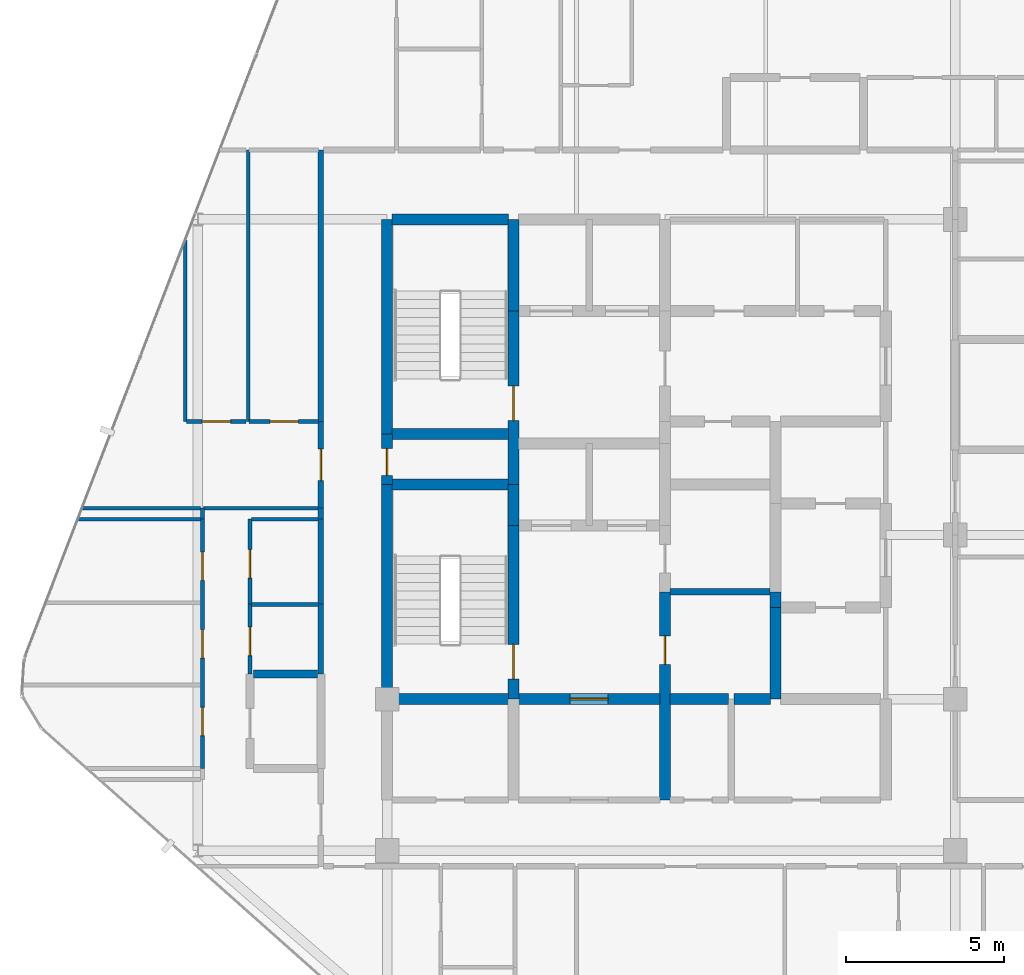
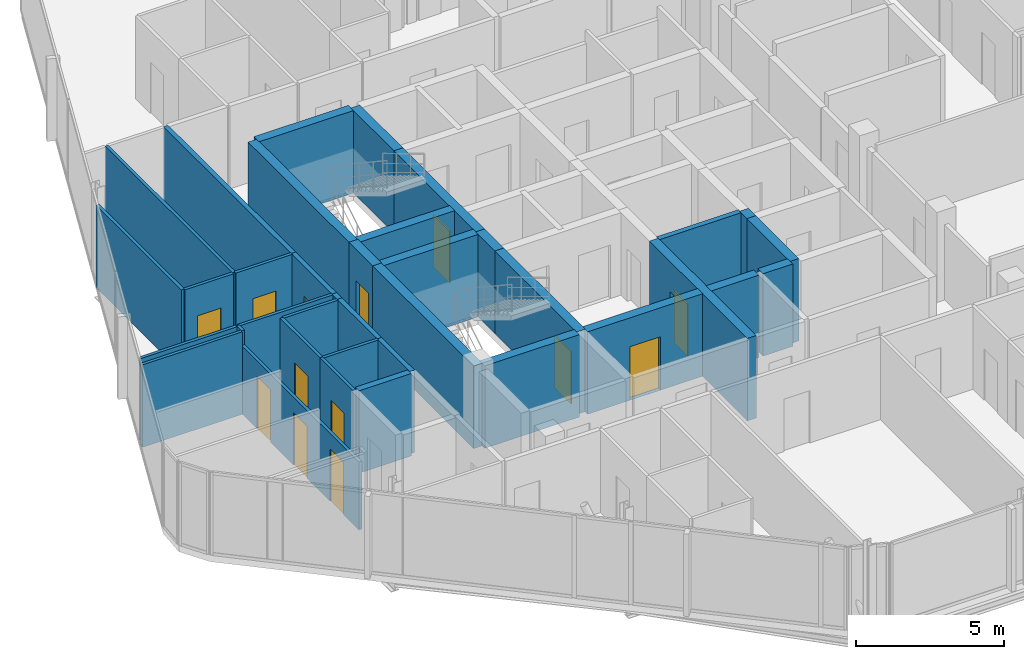
# One storey, part 26 of 30: 37 walls, 13 doors, 13 openings.
"""IFC4 building model written with IfcOpenShell, lengths in metres."""

from ifc_helpers import new_model, si_unit, direction, frame, frame_2d, origin, place, context, subcontext, project, spatial, rectangle, extrude, material, layer, layer_set, type_object, element, fill, save


model = new_model("IFC4")

# Units and contexts
model_context = context("Model", 3, precision=1e-05, world=origin(), true_north=direction((0.0, 1.0)))
body_context = subcontext(model_context, "Body", "Model", "MODEL_VIEW")
ifc_project = project(units=[si_unit("LENGTHUNIT", "METRE"), si_unit("AREAUNIT", "SQUARE_METRE"), si_unit("VOLUMEUNIT", "CUBIC_METRE"), si_unit("PLANEANGLEUNIT", "RADIAN"), si_unit("MASSUNIT", "GRAM", prefix="KILO")], contexts=[model_context])

# Site, building, storey
site_placement = place(None, origin())
site = spatial("IfcSite", under=ifc_project, at=site_placement, CompositionType="ELEMENT")
building_placement = place(site_placement, origin())
building = spatial("IfcBuilding", under=site, at=building_placement, Name="Keshet Zoharim Tower", CompositionType="ELEMENT")
storey_placement = place(building_placement, frame((0.0, 0.0, 280.60009765625)))
storey = spatial("IfcBuildingStorey", under=building, at=storey_placement, Name="L70", CompositionType="ELEMENT", Elevation=280.60009765625)

# Wall
ifc_material_1 = material(Name="Concrete C60/75", Category="concrete")
ifc_layer_1 = layer(ifc_material_1, 0.35009765625)
ifc_layer_set_1 = layer_set([ifc_layer_1], Name="Concrete C60/75")
wall_type_1 = type_object("IfcWallType", Name="WL-CORE-350", PredefinedType="SHEAR", material=ifc_layer_set_1)
wall_1_placement = place(storey_placement, frame((15.0, 22.699951171875, 0.0), z_axis=(0.0, 0.0, 1.0), x_axis=(0.0, 1.0, 0.0)))
element("IfcWall", 1, at=wall_1_placement, inside=storey, type_object=wall_type_1, Name="L70 Core Shear Wall 017", PredefinedType="SHEAR", context=body_context, shape_type="SweptSolid", body=[
    extrude(rectangle(XDim=6.800048828125, YDim=0.35009765625, at=frame_2d((3.39990234375, 0.0))), origin(), (0.0, 0.0, 1.0), 3.389892578125),
])

# Wall, opening, door
wall_2_placement = place(storey_placement, frame((15.0, 29.5, 0.0), z_axis=(0.0, 0.0, 1.0), x_axis=(0.0, 1.0, 0.0)))
wall_2 = element("IfcWall", 2, at=wall_2_placement, inside=storey, type_object=wall_type_1, Name="L70 Core Shear Wall 018", PredefinedType="SHEAR", context=body_context, shape_type="SweptSolid", body=[
    extrude(rectangle(XDim=1.60009765625, YDim=0.35009765625, at=frame_2d((0.800048828125, 0.0))), origin(), (0.0, 0.0, 1.0), 3.389892578125),
])
opening_1_placement = place(wall_2_placement, frame((0.287109375, 0.0, 0.0)))
opening_1 = element("IfcOpeningElement", 3, at=opening_1_placement, cuts=wall_2, Name="Opening D-RS85", PredefinedType="OPENING", context=body_context, shape_type="SweptSolid", body=[
    extrude(rectangle(XDim=0.85009765625, YDim=2.10009765625, at=frame_2d((0.425048828125, 1.050048828125))), frame((0.0, 0.18505859375, 0.0), z_axis=(0.0, -1.0, 0.0), x_axis=(1.0, 0.0, 0.0)), (0.0, 0.0, 1.0), 0.3701171875),
])
ifc_material_2 = material(Name="Hardwood Timber", Category="wood")
door_type_1 = type_object("IfcDoorType", Name="DR-RIS-085", OperationType="NOTDEFINED", PredefinedType="DOOR", material=ifc_material_2)
door_1_placement = place(opening_1_placement, origin())
door_1 = element("IfcDoor", 4, at=door_1_placement, inside=storey, type_object=door_type_1, Name="L70 Electrical Riser Access Cupboard Door", OperationType="SINGLE_SWING_RIGHT", OverallHeight=2.10009765625, OverallWidth=0.85009765625, PredefinedType="DOOR", context=body_context, shape_type="SweptSolid", body=[
    extrude(rectangle(XDim=0.85009765625, YDim=2.10009765625, at=frame_2d((0.425048828125, 1.050048828125))), frame((0.0, 0.02490234375, 0.0), z_axis=(0.0, -1.0, 0.0), x_axis=(1.0, 0.0, 0.0)), (0.0, 0.0, 1.0), 0.050048828125),
])
fill(opening_1, door_1)

# Wall
wall_3_placement = place(storey_placement, frame((15.0, 31.10009765625, 0.0), z_axis=(0.0, 0.0, 1.0), x_axis=(0.0, 1.0, 0.0)))
element("IfcWall", 5, at=wall_3_placement, inside=storey, type_object=wall_type_1, Name="L70 Core Shear Wall 019", PredefinedType="SHEAR", context=body_context, shape_type="SweptSolid", body=[
    extrude(rectangle(XDim=6.7998046875, YDim=0.35009765625, at=frame_2d((3.39990234375, 0.0))), origin(), (0.0, 0.0, 1.0), 3.389892578125),
])

# Wall, opening, door
wall_4_placement = place(storey_placement, frame((19.0, 22.699951171875, 0.0), z_axis=(0.0, 0.0, 1.0), x_axis=(0.0, 1.0, 0.0)))
wall_4 = element("IfcWall", 6, at=wall_4_placement, inside=storey, type_object=wall_type_1, Name="L70 Core Shear Wall 027", PredefinedType="SHEAR", context=body_context, shape_type="SweptSolid", body=[
    extrude(rectangle(XDim=5.5, YDim=0.35009765625, at=frame_2d((2.75, 0.0))), origin(), (0.0, 0.0, 1.0), 3.389892578125),
])
opening_2_placement = place(wall_4_placement, frame((0.631103515625, 0.0, 0.0)))
opening_2 = element("IfcOpeningElement", 7, at=opening_2_placement, cuts=wall_4, Name="Opening D-F611", PredefinedType="OPENING", context=body_context, shape_type="SweptSolid", body=[
    extrude(rectangle(XDim=1.10009765625, YDim=2.14990234375, at=frame_2d((0.550048828125, 1.074951171875))), frame((0.0, 0.18505859375, 0.0), z_axis=(0.0, -1.0, 0.0), x_axis=(1.0, 0.0, 0.0)), (0.0, 0.0, 1.0), 0.3701171875),
])
door_type_2 = type_object("IfcDoorType", Name="DR-FD60-110", OperationType="NOTDEFINED", PredefinedType="DOOR", material=ifc_material_2)
door_2_placement = place(opening_2_placement, origin())
door_2 = element("IfcDoor", 8, at=door_2_placement, inside=storey, type_object=door_type_2, Name="L70 Exit Stair ST-01 Fire Door", OperationType="SINGLE_SWING_RIGHT", OverallHeight=2.14990234375, OverallWidth=1.10009765625, PredefinedType="DOOR", context=body_context, shape_type="SweptSolid", body=[
    extrude(rectangle(XDim=1.10009765625, YDim=2.14990234375, at=frame_2d((0.550048828125, 1.074951171875))), frame((0.0, 0.02490234375, 0.0), z_axis=(0.0, -1.0, 0.0), x_axis=(1.0, 0.0, 0.0)), (0.0, 0.0, 1.0), 0.050048828125),
])
fill(opening_2, door_2)

# Wall
wall_5_placement = place(storey_placement, frame((19.0, 28.199951171875, 0.0), z_axis=(0.0, 0.0, 1.0), x_axis=(0.0, 1.0, 0.0)))
element("IfcWall", 9, at=wall_5_placement, inside=storey, type_object=wall_type_1, Name="L70 Core Shear Wall 028", PredefinedType="SHEAR", context=body_context, shape_type="SweptSolid", body=[
    extrude(rectangle(XDim=1.300048828125, YDim=0.35009765625, at=frame_2d((0.64990234375, 0.0))), origin(), (0.0, 0.0, 1.0), 3.389892578125),
])

# Wall, opening, door
wall_6_placement = place(storey_placement, frame((19.0, 29.5, 0.0), z_axis=(0.0, 0.0, 1.0), x_axis=(0.0, 1.0, 0.0)))
wall_6 = element("IfcWall", 10, at=wall_6_placement, inside=storey, type_object=wall_type_1, Name="L70 Core Shear Wall 029", PredefinedType="SHEAR", context=body_context, shape_type="SweptSolid", body=[
    extrude(rectangle(XDim=5.5, YDim=0.35009765625, at=frame_2d((2.75, 0.0))), origin(), (0.0, 0.0, 1.0), 3.389892578125),
])
opening_3_placement = place(wall_6_placement, frame((2.02490234375, 0.0, 0.0)))
opening_3 = element("IfcOpeningElement", 11, at=opening_3_placement, cuts=wall_6, Name="Opening D-F611", PredefinedType="OPENING", context=body_context, shape_type="SweptSolid", body=[
    extrude(rectangle(XDim=1.10009765625, YDim=2.14990234375, at=frame_2d((0.550048828125, 1.074951171875))), frame((0.0, 0.18505859375, 0.0), z_axis=(0.0, -1.0, 0.0), x_axis=(1.0, 0.0, 0.0)), (0.0, 0.0, 1.0), 0.3701171875),
])
door_3_placement = place(opening_3_placement, origin())
door_3 = element("IfcDoor", 12, at=door_3_placement, inside=storey, type_object=door_type_2, Name="L70 Exit Stair ST-02 Fire Door", OperationType="SINGLE_SWING_LEFT", OverallHeight=2.14990234375, OverallWidth=1.10009765625, PredefinedType="DOOR", context=body_context, shape_type="SweptSolid", body=[
    extrude(rectangle(XDim=1.10009765625, YDim=2.14990234375, at=frame_2d((0.550048828125, 1.074951171875))), frame((0.0, 0.02490234375, 0.0), z_axis=(0.0, -1.0, 0.0), x_axis=(1.0, 0.0, 0.0)), (0.0, 0.0, 1.0), 0.050048828125),
])
fill(opening_3, door_3)

# Wall
wall_7_placement = place(storey_placement, frame((19.0, 35.0, 0.0), z_axis=(0.0, 0.0, 1.0), x_axis=(0.0, 1.0, 0.0)))
element("IfcWall", 13, at=wall_7_placement, inside=storey, type_object=wall_type_1, Name="L70 Core Shear Wall 030", PredefinedType="SHEAR", context=body_context, shape_type="SweptSolid", body=[
    extrude(rectangle(XDim=2.89990234375, YDim=0.35009765625, at=frame_2d((1.449951171875, 0.0))), origin(), (0.0, 0.0, 1.0), 3.389892578125),
])

# Wall, opening, door
wall_8_placement = place(storey_placement, frame((23.800048828125, 19.5, 0.0), z_axis=(0.0, 0.0, 1.0), x_axis=(0.0, 1.0, 0.0)))
wall_8 = element("IfcWall", 14, at=wall_8_placement, inside=storey, type_object=wall_type_1, Name="L70 Core Shear Wall 040", PredefinedType="SHEAR", context=body_context, shape_type="SweptSolid", body=[
    extrude(rectangle(XDim=6.60009765625, YDim=0.35009765625, at=frame_2d((3.300048828125, 0.0))), origin(), (0.0, 0.0, 1.0), 3.389892578125),
])
opening_4_placement = place(wall_8_placement, frame((4.303955078125, 0.0, 0.0)))
opening_4 = element("IfcOpeningElement", 15, at=opening_4_placement, cuts=wall_8, Name="Opening D-F690", PredefinedType="OPENING", context=body_context, shape_type="SweptSolid", body=[
    extrude(rectangle(XDim=0.89990234375, YDim=2.14990234375, at=frame_2d((0.449951171875, 1.074951171875))), frame((0.0, 0.18505859375, 0.0), z_axis=(0.0, -1.0, 0.0), x_axis=(1.0, 0.0, 0.0)), (0.0, 0.0, 1.0), 0.3701171875),
])
door_type_3 = type_object("IfcDoorType", Name="DR-FD60-090", OperationType="NOTDEFINED", PredefinedType="DOOR", material=ifc_material_2)
door_4_placement = place(opening_4_placement, origin())
door_4 = element("IfcDoor", 16, at=door_4_placement, inside=storey, type_object=door_type_3, Name="L70 Core Linen Store Door", OperationType="SINGLE_SWING_LEFT", OverallHeight=2.14990234375, OverallWidth=0.89990234375, PredefinedType="DOOR", context=body_context, shape_type="SweptSolid", body=[
    extrude(rectangle(XDim=0.89990234375, YDim=2.14990234375, at=frame_2d((0.449951171875, 1.074951171875))), frame((0.0, 0.02490234375, 0.0), z_axis=(0.0, -1.0, 0.0), x_axis=(1.0, 0.0, 0.0)), (0.0, 0.0, 1.0), 0.050048828125),
])
fill(opening_4, door_4)

# Walls
wall_9_placement = place(storey_placement, frame((27.300048828125, 22.699951171875, 0.0), z_axis=(0.0, 0.0, 1.0), x_axis=(0.0, 1.0, 0.0)))
element("IfcWall", 17, at=wall_9_placement, inside=storey, type_object=wall_type_1, Name="L70 Core Shear Wall 051", PredefinedType="SHEAR", context=body_context, shape_type="SweptSolid", body=[
    extrude(rectangle(XDim=2.900146484375, YDim=0.35009765625, at=frame_2d((1.4501953125, 0.0))), origin(), (0.0, 0.0, 1.0), 3.389892578125),
])
wall_10_placement = place(storey_placement, frame((27.300048828125, 25.60009765625, 0.0), z_axis=(0.0, 0.0, 1.0), x_axis=(0.0, 1.0, 0.0)))
element("IfcWall", 18, at=wall_10_placement, inside=storey, type_object=wall_type_1, Name="L70 Core Shear Wall 052", PredefinedType="SHEAR", context=body_context, shape_type="SweptSolid", body=[
    extrude(rectangle(XDim=0.5, YDim=0.35009765625, at=frame_2d((0.25, 0.0))), origin(), (0.0, 0.0, 1.0), 3.389892578125),
])
wall_11_placement = place(storey_placement, frame((15.159912109375, 22.699951171875, 0.0), z_axis=(0.0, 0.0, 1.0), x_axis=(1.0, 0.0, 0.0)))
element("IfcWall", 19, at=wall_11_placement, inside=storey, type_object=wall_type_1, Name="L70 Core Shear Wall 117", PredefinedType="SHEAR", context=body_context, shape_type="SweptSolid", body=[
    extrude(rectangle(XDim=3.68017578125, YDim=0.35009765625, at=frame_2d((1.840087890625, 0.0))), origin(), (0.0, 0.0, 1.0), 3.389892578125),
])

# Wall, opening, door
wall_12_placement = place(storey_placement, frame((19.159912109375, 22.699951171875, 0.0), z_axis=(0.0, 0.0, 1.0), x_axis=(1.0, 0.0, 0.0)))
wall_12 = element("IfcWall", 20, at=wall_12_placement, inside=storey, type_object=wall_type_1, Name="L70 Core Shear Wall 118", PredefinedType="SHEAR", context=body_context, shape_type="SweptSolid", body=[
    extrude(rectangle(XDim=4.47998046875, YDim=0.35009765625, at=frame_2d((2.239990234375, 0.0))), origin(), (0.0, 0.0, 1.0), 3.389892578125),
])
opening_5_placement = place(wall_12_placement, frame((1.639892578125, 0.0, 0.0)))
opening_5 = element("IfcOpeningElement", 21, at=opening_5_placement, cuts=wall_12, Name="Opening D-F612", PredefinedType="OPENING", context=body_context, shape_type="SweptSolid", body=[
    extrude(rectangle(XDim=1.199951171875, YDim=2.199951171875, at=frame_2d((0.60009765625, 1.10009765625))), frame((0.0, 0.18505859375, 0.0), z_axis=(0.0, -1.0, 0.0), x_axis=(1.0, 0.0, 0.0)), (0.0, 0.0, 1.0), 0.3701171875),
])
door_type_4 = type_object("IfcDoorType", Name="DR-FD60-120", OperationType="NOTDEFINED", PredefinedType="DOOR", material=ifc_material_2)
door_5_placement = place(opening_5_placement, origin())
door_5 = element("IfcDoor", 22, at=door_5_placement, inside=storey, type_object=door_type_4, Name="L70 South Core Lobby Fire Door", OperationType="SINGLE_SWING_RIGHT", OverallHeight=2.199951171875, OverallWidth=1.199951171875, PredefinedType="DOOR", context=body_context, shape_type="SweptSolid", body=[
    extrude(rectangle(XDim=1.199951171875, YDim=2.199951171875, at=frame_2d((0.60009765625, 1.10009765625))), frame((0.0, 0.02490234375, 0.0), z_axis=(0.0, -1.0, 0.0), x_axis=(1.0, 0.0, 0.0)), (0.0, 0.0, 1.0), 0.050048828125),
])
fill(opening_5, door_5)

# Walls
wall_13_placement = place(storey_placement, frame((23.9599609375, 22.699951171875, 0.0), z_axis=(0.0, 0.0, 1.0), x_axis=(1.0, 0.0, 0.0)))
element("IfcWall", 23, at=wall_13_placement, inside=storey, type_object=wall_type_1, Name="L70 Core Shear Wall 119", PredefinedType="SHEAR", context=body_context, shape_type="SweptSolid", body=[
    extrude(rectangle(XDim=1.85498046875, YDim=0.35009765625, at=frame_2d((0.927490234375, 0.0))), origin(), (0.0, 0.0, 1.0), 3.389892578125),
])
wall_14_placement = place(storey_placement, frame((25.985107421875, 22.699951171875, 0.0), z_axis=(0.0, 0.0, 1.0), x_axis=(1.0, 0.0, 0.0)))
element("IfcWall", 24, at=wall_14_placement, inside=storey, type_object=wall_type_1, Name="L70 Core Shear Wall 120", PredefinedType="SHEAR", context=body_context, shape_type="SweptSolid", body=[
    extrude(rectangle(XDim=1.15478515625, YDim=0.35009765625, at=frame_2d((0.577392578125, 0.0))), origin(), (0.0, 0.0, 1.0), 3.389892578125),
])
for number, where, z_axis, x_axis, name in (
    (25, (15.159912109375, 29.5, 0.0), (0.0, 0.0, 1.0), (1.0, 0.0, 0.0), "L70 Core Shear Wall 135"),
    (26, (15.159912109375, 31.10009765625, 0.0), (0.0, 0.0, 1.0), (1.0, 0.0, 0.0), "L70 Core Shear Wall 141"),
    (27, (15.159912109375, 37.89990234375, 0.0), (0.0, 0.0, 1.0), (1.0, 0.0, 0.0), "L70 Core Shear Wall 152"),
):
    element("IfcWall", number, at=place(storey_placement, frame(where, z_axis=z_axis, x_axis=x_axis)), inside=storey, type_object=wall_type_1, Name=name, PredefinedType="SHEAR", context=body_context, shape_type="SweptSolid", body=[
        extrude(rectangle(XDim=3.68017578125, YDim=0.35009765625, at=frame_2d((1.840087890625, 0.0))), origin(), (0.0, 0.0, 1.0), 3.389892578125),
    ])
ifc_material_3 = material(Name="Gypsum Plasterboard", Category="gypsum")
ifc_layer_2 = layer(ifc_material_3, 0.179931640625)
ifc_layer_set_2 = layer_set([ifc_layer_2], Name="Gypsum Plasterboard")
wall_type_2 = type_object("IfcWallType", Name="WL-CORR-180", PredefinedType="STANDARD", material=ifc_layer_set_2)
wall_15_placement = place(storey_placement, frame((12.89990234375, 23.501953125, 0.0), z_axis=(0.0, 0.0, 1.0), x_axis=(0.0, 1.0, 0.0)))
element("IfcWall", 28, at=wall_15_placement, inside=storey, type_object=wall_type_2, Name="L70 Interior Wall 011", PredefinedType="STANDARD", context=body_context, shape_type="SweptSolid", body=[
    extrude(rectangle(XDim=2.212158203125, YDim=0.179931640625, at=frame_2d((1.10595703125, 0.0))), origin(), (0.0, 0.0, 1.0), 3.389892578125),
])
wall_16_placement = place(storey_placement, frame((12.89990234375, 25.714111328125, 0.0), z_axis=(0.0, 0.0, 1.0), x_axis=(0.0, 1.0, 0.0)))
element("IfcWall", 29, at=wall_16_placement, inside=storey, type_object=wall_type_2, Name="L70 Interior Wall 012", PredefinedType="STANDARD", context=body_context, shape_type="SweptSolid", body=[
    extrude(rectangle(XDim=2.685791015625, YDim=0.179931640625, at=frame_2d((1.3427734375, 0.0))), origin(), (0.0, 0.0, 1.0), 3.389892578125),
])
wall_17_placement = place(storey_placement, frame((12.89990234375, 28.39990234375, 0.0), z_axis=(0.0, 0.0, 1.0), x_axis=(0.0, 1.0, 0.0)))
element("IfcWall", 30, at=wall_17_placement, inside=storey, type_object=wall_type_2, Name="L70 Interior Wall 013", PredefinedType="STANDARD", context=body_context, shape_type="SweptSolid", body=[
    extrude(rectangle(XDim=0.35009765625, YDim=0.179931640625, at=frame_2d((0.175048828125, 0.0))), origin(), (0.0, 0.0, 1.0), 3.389892578125),
])

# Wall, opening, door
wall_18_placement = place(storey_placement, frame((12.89990234375, 28.75, 0.0), z_axis=(0.0, 0.0, 1.0), x_axis=(0.0, 1.0, 0.0)))
wall_18 = element("IfcWall", 31, at=wall_18_placement, inside=storey, type_object=wall_type_2, Name="L70 Interior Wall 014", PredefinedType="STANDARD", context=body_context, shape_type="SweptSolid", body=[
    extrude(rectangle(XDim=2.75, YDim=0.179931640625, at=frame_2d((1.375, 0.0))), origin(), (0.0, 0.0, 1.0), 3.389892578125),
])
opening_6_placement = place(wall_18_placement, frame((0.875, 0.0, 0.0)))
opening_6 = element("IfcOpeningElement", 32, at=opening_6_placement, cuts=wall_18, Name="Opening D-F310", PredefinedType="OPENING", context=body_context, shape_type="SweptSolid", body=[
    extrude(rectangle(XDim=1.0, YDim=2.14990234375, at=frame_2d((0.5, 1.074951171875))), frame((0.0, 0.10009765625, 0.0), z_axis=(0.0, -1.0, 0.0), x_axis=(1.0, 0.0, 0.0)), (0.0, 0.0, 1.0), 0.199951171875),
])
door_type_5 = type_object("IfcDoorType", Name="DR-FD30-100", OperationType="NOTDEFINED", PredefinedType="DOOR", material=ifc_material_2)
door_6_placement = place(opening_6_placement, origin())
door_6 = element("IfcDoor", 33, at=door_6_placement, inside=storey, type_object=door_type_5, Name="Apartment 7007 Entrance Door", OperationType="SINGLE_SWING_LEFT", OverallHeight=2.14990234375, OverallWidth=1.0, PredefinedType="DOOR", context=body_context, shape_type="SweptSolid", body=[
    extrude(rectangle(XDim=1.0, YDim=2.14990234375, at=frame_2d((0.5, 1.074951171875))), frame((0.0, 0.02490234375, 0.0), z_axis=(0.0, -1.0, 0.0), x_axis=(1.0, 0.0, 0.0)), (0.0, 0.0, 1.0), 0.050048828125),
])
fill(opening_6, door_6)

# Walls
wall_19_placement = place(storey_placement, frame((12.89990234375, 31.5, 0.0), z_axis=(0.0, 0.0, 1.0), x_axis=(0.0, 1.0, 0.0)))
element("IfcWall", 34, at=wall_19_placement, inside=storey, type_object=wall_type_2, Name="L70 Interior Wall 015", PredefinedType="STANDARD", context=body_context, shape_type="SweptSolid", body=[
    extrude(rectangle(XDim=8.60009765625, YDim=0.179931640625, at=frame_2d((4.300048828125, 0.0))), origin(), (0.0, 0.0, 1.0), 3.389892578125),
])
ifc_material_4 = material(Name="Concrete C50/60", Category="concrete")
ifc_layer_3 = layer(ifc_material_4, 0.199951171875)
ifc_layer_set_3 = layer_set([ifc_layer_3], Name="Concrete C50/60")
wall_type_3 = type_object("IfcWallType", Name="WL-FIRE-200", PredefinedType="STANDARD", material=ifc_layer_set_3)
wall_20_placement = place(storey_placement, frame((23.9599609375, 26.10009765625, 0.0), z_axis=(0.0, 0.0, 1.0), x_axis=(1.0, 0.0, 0.0)))
element("IfcWall", 35, at=wall_20_placement, inside=storey, type_object=wall_type_3, Name="L70 Interior Wall 127", PredefinedType="STANDARD", context=body_context, shape_type="SweptSolid", body=[
    extrude(rectangle(XDim=3.179931640625, YDim=0.199951171875, at=frame_2d((1.58984375, 0.0))), origin(), (0.0, 0.0, 1.0), 3.389892578125),
])
ifc_layer_4 = layer(ifc_material_4, 0.25)
ifc_layer_set_4 = layer_set([ifc_layer_4], Name="Concrete C50/60")
wall_type_4 = type_object("IfcWallType", Name="WL-MAMAD-250", PredefinedType="STANDARD", material=ifc_layer_set_4)
wall_21_placement = place(storey_placement, frame((10.760009765625, 23.5, 0.0), z_axis=(0.0, 0.0, 1.0), x_axis=(1.0, 0.0, 0.0)))
element("IfcWall", 36, at=wall_21_placement, inside=storey, type_object=wall_type_4, Name="L70 Interior Wall 123", PredefinedType="STANDARD", context=body_context, shape_type="SweptSolid", body=[
    extrude(rectangle(XDim=2.030029296875, YDim=0.25, at=frame_2d((1.01513671875, 0.0))), origin(), (0.0, 0.0, 1.0), 3.389892578125),
])
ifc_layer_5 = layer(ifc_material_3, 0.1201171875)
ifc_layer_set_5 = layer_set([ifc_layer_5], Name="Gypsum Plasterboard")
wall_type_5 = type_object("IfcWallType", Name="WL-PART-120", PredefinedType="PARTITIONING", material=ifc_layer_set_5)
wall_22_placement = place(storey_placement, frame((8.60009765625, 31.5, 0.0), z_axis=(0.0, 0.0, 1.0), x_axis=(0.0, 1.0, 0.0)))
element("IfcWall", 37, at=wall_22_placement, inside=storey, type_object=wall_type_5, Name="L70 Interior Wall 001", PredefinedType="PARTITIONING", context=body_context, shape_type="SweptSolid", body=[
    extrude(rectangle(XDim=5.75, YDim=0.1201171875, at=frame_2d((2.875, 0.0))), origin(), (0.0, 0.0, 1.0), 3.389892578125),
])

# Wall, openings, doors
wall_23_placement = place(storey_placement, frame((9.14990234375, 20.5, 0.0), z_axis=(0.0, 0.0, 1.0), x_axis=(0.0, 1.0, 0.0)))
wall_23 = element("IfcWall", 38, at=wall_23_placement, inside=storey, type_object=wall_type_5, Name="L70 Interior Wall 003", PredefinedType="PARTITIONING", context=body_context, shape_type="SweptSolid", body=[
    extrude(rectangle(XDim=7.89990234375, YDim=0.1201171875, at=frame_2d((3.949951171875, 0.0))), origin(), (0.0, 0.0, 1.0), 2.789794921875),
])
opening_7_placement = place(wall_23_placement, frame((1.041015625, 0.0, 0.0)))
opening_7 = element("IfcOpeningElement", 39, at=opening_7_placement, cuts=wall_23, Name="Opening D-IN90", PredefinedType="OPENING", context=body_context, shape_type="SweptSolid", body=[
    extrude(rectangle(XDim=0.89990234375, YDim=2.14990234375, at=frame_2d((0.449951171875, 1.074951171875))), frame((0.0, 0.070068359375, 0.0), z_axis=(0.0, -1.0, 0.0), x_axis=(1.0, 0.0, 0.0)), (0.0, 0.0, 1.0), 0.14013671875),
])
opening_8_placement = place(wall_23_placement, frame((3.5, 0.0, 0.0)))
opening_8 = element("IfcOpeningElement", 40, at=opening_8_placement, cuts=wall_23, Name="Opening D-IN90", PredefinedType="OPENING", context=body_context, shape_type="SweptSolid", body=[
    extrude(rectangle(XDim=0.89990234375, YDim=2.14990234375, at=frame_2d((0.449951171875, 1.074951171875))), frame((0.0, 0.070068359375, 0.0), z_axis=(0.0, -1.0, 0.0), x_axis=(1.0, 0.0, 0.0)), (0.0, 0.0, 1.0), 0.14013671875),
])
opening_9_placement = place(wall_23_placement, frame((5.958984375, 0.0, 0.0)))
opening_9 = element("IfcOpeningElement", 41, at=opening_9_placement, cuts=wall_23, Name="Opening D-IN90", PredefinedType="OPENING", context=body_context, shape_type="SweptSolid", body=[
    extrude(rectangle(XDim=0.89990234375, YDim=2.14990234375, at=frame_2d((0.449951171875, 1.074951171875))), frame((0.0, 0.070068359375, 0.0), z_axis=(0.0, -1.0, 0.0), x_axis=(1.0, 0.0, 0.0)), (0.0, 0.0, 1.0), 0.14013671875),
])
door_type_6 = type_object("IfcDoorType", Name="DR-INT-090", OperationType="NOTDEFINED", PredefinedType="DOOR", material=ifc_material_2)
door_7_placement = place(opening_7_placement, origin())
door_7 = element("IfcDoor", 42, at=door_7_placement, inside=storey, type_object=door_type_6, Name="Apartment 7006 Bedroom 1 Door", OperationType="SINGLE_SWING_RIGHT", OverallHeight=2.14990234375, OverallWidth=0.89990234375, PredefinedType="DOOR", context=body_context, shape_type="SweptSolid", body=[
    extrude(rectangle(XDim=0.89990234375, YDim=2.14990234375, at=frame_2d((0.449951171875, 1.074951171875))), frame((0.0, 0.02490234375, 0.0), z_axis=(0.0, -1.0, 0.0), x_axis=(1.0, 0.0, 0.0)), (0.0, 0.0, 1.0), 0.050048828125),
])
fill(opening_7, door_7)
door_8_placement = place(opening_8_placement, origin())
door_8 = element("IfcDoor", 43, at=door_8_placement, inside=storey, type_object=door_type_6, Name="Apartment 7006 Bedroom 2 Door", OperationType="SINGLE_SWING_LEFT", OverallHeight=2.14990234375, OverallWidth=0.89990234375, PredefinedType="DOOR", context=body_context, shape_type="SweptSolid", body=[
    extrude(rectangle(XDim=0.89990234375, YDim=2.14990234375, at=frame_2d((0.449951171875, 1.074951171875))), frame((0.0, 0.02490234375, 0.0), z_axis=(0.0, -1.0, 0.0), x_axis=(1.0, 0.0, 0.0)), (0.0, 0.0, 1.0), 0.050048828125),
])
fill(opening_8, door_8)
door_9_placement = place(opening_9_placement, origin())
door_9 = element("IfcDoor", 44, at=door_9_placement, inside=storey, type_object=door_type_6, Name="Apartment 7006 Bedroom 3 Door", OperationType="SINGLE_SWING_RIGHT", OverallHeight=2.14990234375, OverallWidth=0.89990234375, PredefinedType="DOOR", context=body_context, shape_type="SweptSolid", body=[
    extrude(rectangle(XDim=0.89990234375, YDim=2.14990234375, at=frame_2d((0.449951171875, 1.074951171875))), frame((0.0, 0.02490234375, 0.0), z_axis=(0.0, -1.0, 0.0), x_axis=(1.0, 0.0, 0.0)), (0.0, 0.0, 1.0), 0.050048828125),
])
fill(opening_9, door_9)

# Wall
wall_24_placement = place(storey_placement, frame((9.14990234375, 28.39990234375, 0.0), z_axis=(0.0, 0.0, 1.0), x_axis=(0.0, 1.0, 0.0)))
element("IfcWall", 45, at=wall_24_placement, inside=storey, type_object=wall_type_5, Name="L70 Interior Wall 004", PredefinedType="PARTITIONING", context=body_context, shape_type="SweptSolid", body=[
    extrude(rectangle(XDim=0.35009765625, YDim=0.1201171875, at=frame_2d((0.175048828125, 0.0))), origin(), (0.0, 0.0, 1.0), 3.389892578125),
])

# Wall, opening, door
wall_25_placement = place(storey_placement, frame((10.64990234375, 25.714111328125, 0.0), z_axis=(0.0, 0.0, 1.0), x_axis=(0.0, 1.0, 0.0)))
wall_25 = element("IfcWall", 46, at=wall_25_placement, inside=storey, type_object=wall_type_5, Name="L70 Interior Wall 008", PredefinedType="PARTITIONING", context=body_context, shape_type="SweptSolid", body=[
    extrude(rectangle(XDim=2.685791015625, YDim=0.1201171875, at=frame_2d((1.3427734375, 0.0))), origin(), (0.0, 0.0, 1.0), 3.389892578125),
])
opening_10_placement = place(wall_25_placement, frame((0.822021484375, 0.0, 0.0)))
opening_10 = element("IfcOpeningElement", 47, at=opening_10_placement, cuts=wall_25, Name="Opening D-IN90", PredefinedType="OPENING", context=body_context, shape_type="SweptSolid", body=[
    extrude(rectangle(XDim=0.89990234375, YDim=2.14990234375, at=frame_2d((0.449951171875, 1.074951171875))), frame((0.0, 0.070068359375, 0.0), z_axis=(0.0, -1.0, 0.0), x_axis=(1.0, 0.0, 0.0)), (0.0, 0.0, 1.0), 0.14013671875),
])
door_10_placement = place(opening_10_placement, origin())
door_10 = element("IfcDoor", 48, at=door_10_placement, inside=storey, type_object=door_type_6, Name="Apartment 7006 Kitchen Door", OperationType="SINGLE_SWING_LEFT", OverallHeight=2.14990234375, OverallWidth=0.89990234375, PredefinedType="DOOR", context=body_context, shape_type="SweptSolid", body=[
    extrude(rectangle(XDim=0.89990234375, YDim=2.14990234375, at=frame_2d((0.449951171875, 1.074951171875))), frame((0.0, 0.02490234375, 0.0), z_axis=(0.0, -1.0, 0.0), x_axis=(1.0, 0.0, 0.0)), (0.0, 0.0, 1.0), 0.050048828125),
])
fill(opening_10, door_10)

# Walls
wall_26_placement = place(storey_placement, frame((5.201904296875, 28.39990234375, 0.0), z_axis=(0.0, 0.0, 1.0), x_axis=(1.0, 0.0, 0.0)))
element("IfcWall", 49, at=wall_26_placement, inside=storey, type_object=wall_type_5, Name="L70 Interior Wall 130", PredefinedType="PARTITIONING", context=body_context, shape_type="SweptSolid", body=[
    extrude(rectangle(XDim=3.883056640625, YDim=0.1201171875, at=frame_2d((1.94140625, 0.0))), origin(), (0.0, 0.0, 1.0), 3.389892578125),
])
wall_27_placement = place(storey_placement, frame((10.695068359375, 28.39990234375, 0.0), z_axis=(0.0, 0.0, 1.0), x_axis=(1.0, 0.0, 0.0)))
element("IfcWall", 50, at=wall_27_placement, inside=storey, type_object=wall_type_5, Name="L70 Interior Wall 131", PredefinedType="PARTITIONING", context=body_context, shape_type="SweptSolid", body=[
    extrude(rectangle(XDim=2.1298828125, YDim=0.1201171875, at=frame_2d((1.06494140625, 0.0))), origin(), (0.0, 0.0, 1.0), 3.389892578125),
])
wall_28_placement = place(storey_placement, frame((5.3369140625, 28.75, 0.0), z_axis=(0.0, 0.0, 1.0), x_axis=(1.0, 0.0, 0.0)))
element("IfcWall", 51, at=wall_28_placement, inside=storey, type_object=wall_type_5, Name="L70 Interior Wall 132", PredefinedType="PARTITIONING", context=body_context, shape_type="SweptSolid", body=[
    extrude(rectangle(XDim=3.748046875, YDim=0.1201171875, at=frame_2d((1.8740234375, 0.0))), origin(), (0.0, 0.0, 1.0), 3.389892578125),
])
wall_29_placement = place(storey_placement, frame((9.175048828125, 28.75, 0.0), z_axis=(0.0, 0.0, 1.0), x_axis=(1.0, 0.0, 0.0)))
element("IfcWall", 52, at=wall_29_placement, inside=storey, type_object=wall_type_5, Name="L70 Interior Wall 133", PredefinedType="PARTITIONING", context=body_context, shape_type="SweptSolid", body=[
    extrude(rectangle(XDim=3.64990234375, YDim=0.1201171875, at=frame_2d((1.824951171875, 0.0))), origin(), (0.0, 0.0, 1.0), 3.389892578125),
])

# Wall, opening, door
wall_30_placement = place(storey_placement, frame((8.64501953125, 31.5, 0.0), z_axis=(0.0, 0.0, 1.0), x_axis=(1.0, 0.0, 0.0)))
wall_30 = element("IfcWall", 53, at=wall_30_placement, inside=storey, type_object=wall_type_5, Name="L70 Interior Wall 142", PredefinedType="PARTITIONING", context=body_context, shape_type="SweptSolid", body=[
    extrude(rectangle(XDim=1.887939453125, YDim=0.1201171875, at=frame_2d((0.94384765625, 0.0))), origin(), (0.0, 0.0, 1.0), 3.389892578125),
])
opening_11_placement = place(wall_30_placement, frame((0.493896484375, 0.0, 0.0)))
opening_11 = element("IfcOpeningElement", 54, at=opening_11_placement, cuts=wall_30, Name="Opening D-IN90", PredefinedType="OPENING", context=body_context, shape_type="SweptSolid", body=[
    extrude(rectangle(XDim=0.89990234375, YDim=2.14990234375, at=frame_2d((0.449951171875, 1.074951171875))), frame((0.0, 0.070068359375, 0.0), z_axis=(0.0, -1.0, 0.0), x_axis=(1.0, 0.0, 0.0)), (0.0, 0.0, 1.0), 0.14013671875),
])
door_11_placement = place(opening_11_placement, origin())
door_11 = element("IfcDoor", 55, at=door_11_placement, inside=storey, type_object=door_type_6, Name="Apartment 7007 Kitchen Door", OperationType="SINGLE_SWING_LEFT", OverallHeight=2.14990234375, OverallWidth=0.89990234375, PredefinedType="DOOR", context=body_context, shape_type="SweptSolid", body=[
    extrude(rectangle(XDim=0.89990234375, YDim=2.14990234375, at=frame_2d((0.449951171875, 1.074951171875))), frame((0.0, 0.02490234375, 0.0), z_axis=(0.0, -1.0, 0.0), x_axis=(1.0, 0.0, 0.0)), (0.0, 0.0, 1.0), 0.050048828125),
])
fill(opening_11, door_11)

# Wall
ifc_layer_6 = layer(ifc_material_3, 0.1201171875)
ifc_layer_set_6 = layer_set([ifc_layer_6], Name="Gypsum Plasterboard")
wall_type_6 = type_object("IfcWallType", Name="WL-WET-120", PredefinedType="PARTITIONING", material=ifc_layer_set_6)
wall_31_placement = place(storey_placement, frame((10.60009765625, 31.5, 0.0), z_axis=(0.0, 0.0, 1.0), x_axis=(0.0, 1.0, 0.0)))
element("IfcWall", 56, at=wall_31_placement, inside=storey, type_object=wall_type_6, Name="L70 Interior Wall 005", PredefinedType="PARTITIONING", context=body_context, shape_type="SweptSolid", body=[
    extrude(rectangle(XDim=8.60009765625, YDim=0.1201171875, at=frame_2d((4.300048828125, 0.0))), origin(), (0.0, 0.0, 1.0), 3.389892578125),
])

# Wall, opening, door
wall_32_placement = place(storey_placement, frame((10.64990234375, 23.501953125, 0.0), z_axis=(0.0, 0.0, 1.0), x_axis=(0.0, 1.0, 0.0)))
wall_32 = element("IfcWall", 57, at=wall_32_placement, inside=storey, type_object=wall_type_6, Name="L70 Interior Wall 007", PredefinedType="PARTITIONING", context=body_context, shape_type="SweptSolid", body=[
    extrude(rectangle(XDim=2.212158203125, YDim=0.1201171875, at=frame_2d((1.10595703125, 0.0))), origin(), (0.0, 0.0, 1.0), 3.389892578125),
])
opening_12_placement = place(wall_32_placement, frame((0.577880859375, 0.0, 0.0)))
opening_12 = element("IfcOpeningElement", 58, at=opening_12_placement, cuts=wall_32, Name="Opening D-WT90", PredefinedType="OPENING", context=body_context, shape_type="SweptSolid", body=[
    extrude(rectangle(XDim=0.89990234375, YDim=2.10009765625, at=frame_2d((0.449951171875, 1.050048828125))), frame((0.0, 0.070068359375, 0.0), z_axis=(0.0, -1.0, 0.0), x_axis=(1.0, 0.0, 0.0)), (0.0, 0.0, 1.0), 0.14013671875),
])
door_type_7 = type_object("IfcDoorType", Name="DR-WET-090", OperationType="NOTDEFINED", PredefinedType="DOOR", material=ifc_material_2)
door_12_placement = place(opening_12_placement, origin())
door_12 = element("IfcDoor", 59, at=door_12_placement, inside=storey, type_object=door_type_7, Name="Apartment 7006 Bathroom Door", OperationType="SINGLE_SWING_RIGHT", OverallHeight=2.10009765625, OverallWidth=0.89990234375, PredefinedType="DOOR", context=body_context, shape_type="SweptSolid", body=[
    extrude(rectangle(XDim=0.89990234375, YDim=2.10009765625, at=frame_2d((0.449951171875, 1.050048828125))), frame((0.0, 0.02490234375, 0.0), z_axis=(0.0, -1.0, 0.0), x_axis=(1.0, 0.0, 0.0)), (0.0, 0.0, 1.0), 0.050048828125),
])
fill(opening_12, door_12)

# Wall
wall_33_placement = place(storey_placement, frame((10.695068359375, 25.699951171875, 0.0), z_axis=(0.0, 0.0, 1.0), x_axis=(1.0, 0.0, 0.0)))
element("IfcWall", 60, at=wall_33_placement, inside=storey, type_object=wall_type_6, Name="L70 Interior Wall 125", PredefinedType="PARTITIONING", context=body_context, shape_type="SweptSolid", body=[
    extrude(rectangle(XDim=2.1298828125, YDim=0.1201171875, at=frame_2d((1.06494140625, 0.0))), origin(), (0.0, 0.0, 1.0), 3.389892578125),
])

# Wall, opening, door
wall_34_placement = place(storey_placement, frame((10.623046875, 31.5, 0.0), z_axis=(0.0, 0.0, 1.0), x_axis=(1.0, 0.0, 0.0)))
wall_34 = element("IfcWall", 61, at=wall_34_placement, inside=storey, type_object=wall_type_6, Name="L70 Interior Wall 143", PredefinedType="PARTITIONING", context=body_context, shape_type="SweptSolid", body=[
    extrude(rectangle(XDim=2.201904296875, YDim=0.1201171875, at=frame_2d((1.10107421875, 0.0))), origin(), (0.0, 0.0, 1.0), 3.389892578125),
])
opening_13_placement = place(wall_34_placement, frame((0.666015625, 0.0, 0.0)))
opening_13 = element("IfcOpeningElement", 62, at=opening_13_placement, cuts=wall_34, Name="Opening D-WT90", PredefinedType="OPENING", context=body_context, shape_type="SweptSolid", body=[
    extrude(rectangle(XDim=0.89990234375, YDim=2.10009765625, at=frame_2d((0.449951171875, 1.050048828125))), frame((0.0, 0.070068359375, 0.0), z_axis=(0.0, -1.0, 0.0), x_axis=(1.0, 0.0, 0.0)), (0.0, 0.0, 1.0), 0.14013671875),
])
door_13_placement = place(opening_13_placement, origin())
door_13 = element("IfcDoor", 63, at=door_13_placement, inside=storey, type_object=door_type_7, Name="Apartment 7007 Bathroom Door", OperationType="SINGLE_SWING_RIGHT", OverallHeight=2.10009765625, OverallWidth=0.89990234375, PredefinedType="DOOR", context=body_context, shape_type="SweptSolid", body=[
    extrude(rectangle(XDim=0.89990234375, YDim=2.10009765625, at=frame_2d((0.449951171875, 1.050048828125))), frame((0.0, 0.02490234375, 0.0), z_axis=(0.0, -1.0, 0.0), x_axis=(1.0, 0.0, 0.0)), (0.0, 0.0, 1.0), 0.050048828125),
])
fill(opening_13, door_13)

save(model, "model.ifc")
